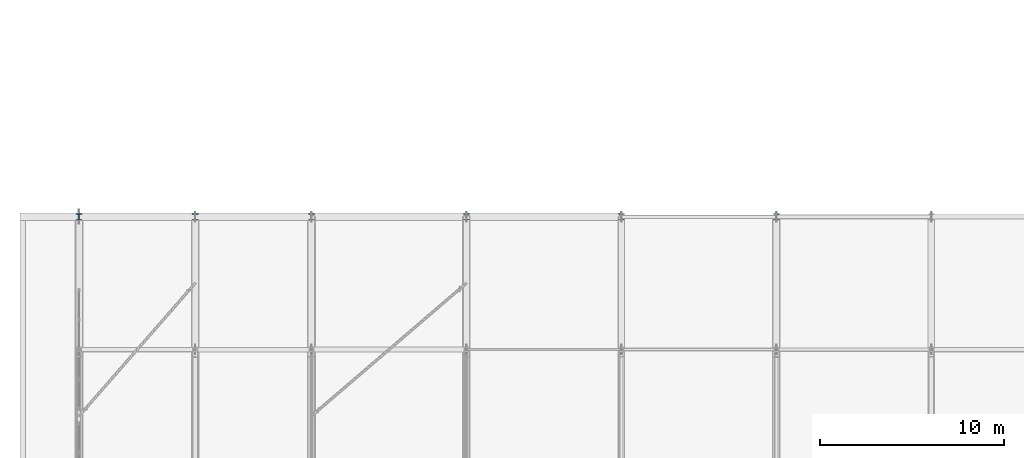
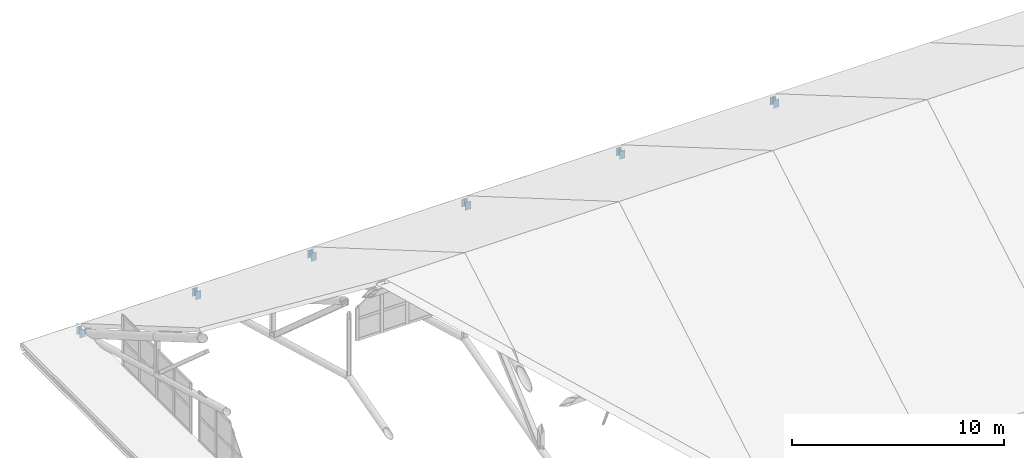
# One storey, part 36 of 54: 6 members.
"""IFC4 building model written with IfcOpenShell, lengths in metres."""

from ifc_helpers import new_model, si_unit, direction, frame, origin, origin_2d, place, context, subcontext, project, spatial, i_section, extrude, material, material_profile, profile_set, type_object, element, save


model = new_model("IFC4")

# Units and contexts
model_context = context("Model", 3, precision=1e-05, world=origin(), true_north=direction((0.0, 1.0)))
body_context = subcontext(model_context, "Body", "Model", "MODEL_VIEW")
ifc_project = project(units=[si_unit("LENGTHUNIT", "METRE"), si_unit("AREAUNIT", "SQUARE_METRE"), si_unit("VOLUMEUNIT", "CUBIC_METRE"), si_unit("PLANEANGLEUNIT", "RADIAN"), si_unit("MASSUNIT", "GRAM", prefix="KILO")], contexts=[model_context])

# Site, building, storey
site_placement = place(None, origin())
site = spatial("IfcSite", under=ifc_project, at=site_placement, CompositionType="ELEMENT")
building_placement = place(site_placement, origin())
building = spatial("IfcBuilding", under=site, at=building_placement, Name="Zulmaris Art Gallery", CompositionType="ELEMENT")
storey_placement = place(building_placement, frame((0.0, 0.0, 26.39990234375)))
storey = spatial("IfcBuildingStorey", under=building, at=storey_placement, Name="L05", CompositionType="ELEMENT", Elevation=26.39990234375)

# Members
ifc_material = material(Name="Steel S355J2", Category="steel")
ifc_material_profile = material_profile(ifc_material, i_section(OverallWidth=0.300048828125, OverallDepth=0.340087890625, WebThickness=0.011962890625, FlangeThickness=0.021484375, FilletRadius=0.027099609375, at=origin_2d()), Name="HEB 340")
ifc_profile_set = profile_set([ifc_material_profile], Name="Steel S355J2")
member_type = type_object("IfcMemberType", Name="MEM-TP04", PredefinedType="POST", material=ifc_profile_set)
for number, where, z_axis, x_axis, name in (
    (1, (11.39990234375, 50.39990234375, -0.699951171875), (0.0, 0.0, 1.0), (1.0, 0.0, 0.0), "Pitched gallery truss TR-R01 bearing shoe 5"),
    (2, (17.699951171875, 50.39990234375, -0.699951171875), (0.0, 0.0, 1.0), (1.0, 0.0, 0.0), "Pitched gallery truss TR-R02 bearing shoe 5"),
    (3, (24.0, 50.39990234375, -0.699951171875), (0.0, 0.0, 1.0), (1.0, 0.0, 0.0), "Pitched gallery truss TR-R03 bearing shoe 5"),
    (4, (32.39990234375, 50.39990234375, -0.699951171875), (0.0, 0.0, 1.0), (1.0, 0.0, 0.0), "Pitched gallery truss TR-R04 bearing shoe 5"),
    (5, (40.800048828125, 50.39990234375, -0.699951171875), (0.0, 0.0, 1.0), (1.0, 0.0, 0.0), "Pitched gallery truss TR-R05 bearing shoe 5"),
    (6, (49.199951171875, 50.39990234375, -0.699951171875), (0.0, 0.0, 1.0), (1.0, 0.0, 0.0), "Pitched gallery truss TR-R06 bearing shoe 5"),
):
    element("IfcMember", number, at=place(storey_placement, frame(where, z_axis=z_axis, x_axis=x_axis)), inside=storey, type_object=member_type, Name=name, PredefinedType="POST", context=body_context, shape_type="SweptSolid", body=[
        extrude(i_section(OverallWidth=0.300048828125, OverallDepth=0.340087890625, WebThickness=0.011962890625, FlangeThickness=0.021484375, FilletRadius=0.027099609375, at=origin_2d()), origin(), (0.0, 0.0, 1.0), 0.449951171875),
    ])

save(model, "model.ifc")
